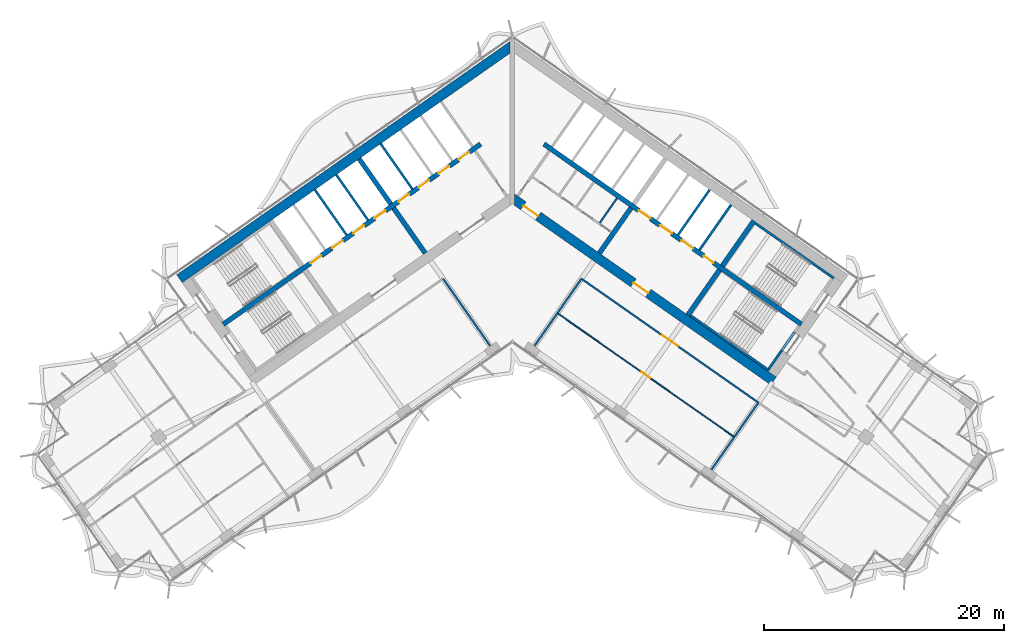
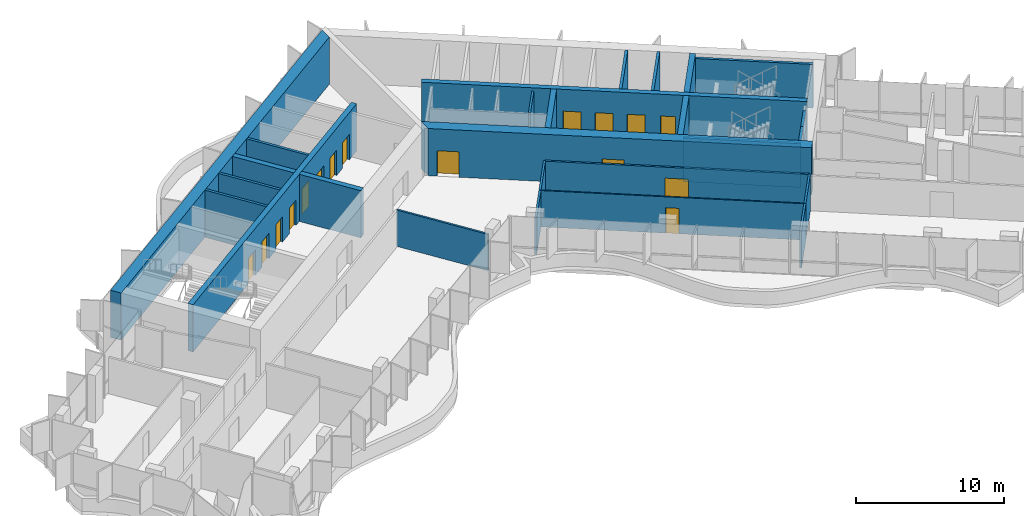
# One storey, part 13 of 22: 26 walls, 16 doors, 16 openings.
"""IFC4 building model written with IfcOpenShell, lengths in metres."""

from ifc_helpers import new_model, si_unit, direction, frame, frame_2d, origin, place, context, subcontext, project, spatial, polyline, rectangle, outline, extrude, material, layer, layer_set, type_object, element, fill, save


model = new_model("IFC4")

# Units and contexts
model_context = context("Model", 3, precision=1e-05, world=origin(), true_north=direction((0.0, 1.0)))
body_context = subcontext(model_context, "Body", "Model", "MODEL_VIEW")
ifc_project = project(units=[si_unit("LENGTHUNIT", "METRE"), si_unit("AREAUNIT", "SQUARE_METRE"), si_unit("VOLUMEUNIT", "CUBIC_METRE"), si_unit("PLANEANGLEUNIT", "RADIAN"), si_unit("MASSUNIT", "GRAM", prefix="KILO")], contexts=[model_context])

# Site, building, storey
site_placement = place(None, origin())
site = spatial("IfcSite", under=ifc_project, at=site_placement, CompositionType="ELEMENT")
building_placement = place(site_placement, origin())
building = spatial("IfcBuilding", under=site, at=building_placement, Name="Tel Ilan Convention Tower", CompositionType="ELEMENT")
storey_placement = place(building_placement, frame((0.0, 0.0, 135.89990234375)))
storey = spatial("IfcBuildingStorey", under=building, at=storey_placement, Name="L30", CompositionType="ELEMENT", Elevation=135.89990234375)

# Walls
ifc_material_1 = material(Name="Gypsum Plasterboard on Steel Stud", Category="steel")
ifc_layer_1 = layer(ifc_material_1, 0.14990234375)
ifc_layer_set_1 = layer_set([ifc_layer_1], Name="Core Room Partition Wall 150 mm EI 60")
wall_type_1 = type_object("IfcWallType", Name="Core Room Partition Wall 150 mm EI 60", PredefinedType="PARTITIONING", material=ifc_layer_set_1)
wall_1_placement = place(storey_placement, frame((7.280517578125, -2.808837890625, 0.0), z_axis=(0.0, 0.0, 1.0), x_axis=(0.573566168143, 0.81915923407, 0.0)))
element("IfcWall", 1, at=wall_1_placement, inside=storey, type_object=wall_type_1, Name="L30 core wall wc-v2", PredefinedType="PARTITIONING", context=body_context, shape_type="SweptSolid", body=[
    extrude(rectangle(XDim=2.52490234375, YDim=0.14990234375, at=frame_2d((1.262451171875, 0.0))), origin(), (0.0, 0.0, 1.0), 3.6201171875),
])
ifc_material_2 = material(Name="Concrete C50/60", Category="concrete")
ifc_layer_2 = layer(ifc_material_2, 0.39990234375)
ifc_layer_set_2 = layer_set([ifc_layer_2], Name="Core Shear Wall 400 mm C50/60")
wall_type_2 = type_object("IfcWallType", Name="Core Shear Wall 400 mm C50/60", PredefinedType="SHEAR", material=ifc_layer_set_2)
wall_2_placement = place(storey_placement, frame((-7.2578125, -5.325927734375, 0.0), z_axis=(0.0, 0.0, 1.0), x_axis=(-0.573540709186, 0.819177059558, 0.0)))
element("IfcWall", 2, at=wall_2_placement, inside=storey, type_object=wall_type_2, Name="L30 core wall W-cross1-1", PredefinedType="SHEAR", context=body_context, shape_type="SweptSolid", body=[
    extrude(outline(polyline([(4.599853515625, 0.2001953125), (-0.000244140625, 0.199951171875), (-0.000244140625, -0.2001953125), (4.599853515625, -0.199951171875), (4.599853515625, 0.2001953125)])), origin(), (0.0, 0.0, 1.0), 3.900146484375),
])
wall_3_placement = place(storey_placement, frame((-10.12548828125, -1.230224609375, 0.0), z_axis=(0.0, 0.0, 1.0), x_axis=(-0.573576324356, 0.819152122709, 0.0)))
element("IfcWall", 3, at=wall_3_placement, inside=storey, type_object=wall_type_2, Name="L30 core wall W-cross1-2", PredefinedType="SHEAR", context=body_context, shape_type="SweptSolid", body=[
    extrude(outline(polyline([(4.60009765625, -0.199951171875), (4.599853515625, 0.199951171875), (0.0, 0.2001953125), (0.0, -0.199951171875), (4.60009765625, -0.199951171875)])), origin(), (0.0, 0.0, 1.0), 3.900146484375),
])

# Wall, openings, doors
wall_4_placement = place(storey_placement, frame((-2.638427734375, 3.76806640625, 0.0), z_axis=(0.0, 0.0, 1.0), x_axis=(-0.81915267502, -0.573575535572, 0.0)))
wall_4 = element("IfcWall", 4, at=wall_4_placement, inside=storey, type_object=wall_type_2, Name="L30 core wall W-spine", PredefinedType="SHEAR", context=body_context, shape_type="SweptSolid", body=[
    extrude(outline(polyline([(26.199951171875, 0.199951171875), (0.0, 0.199951171875), (0.0, -0.199951171875), (26.199951171875, -0.199951171875), (26.199951171875, 0.199951171875)])), origin(), (0.0, 0.0, 1.0), 3.900146484375),
])
opening_1_placement = place(wall_4_placement, frame((1.168701171875, 0.0, 0.0)))
opening_1 = element("IfcOpeningElement", 5, at=opening_1_placement, cuts=wall_4, Name="Opening LD2404", PredefinedType="OPENING", context=body_context, shape_type="SweptSolid", body=[
    extrude(rectangle(XDim=1.10009765625, YDim=2.10009765625, at=frame_2d((0.550048828125, 1.050048828125))), frame((0.0, 0.2099609375, 0.0), z_axis=(0.0, -1.0, 0.0), x_axis=(1.0, 0.0, 0.0)), (0.0, 0.0, 1.0), 0.419921875),
])
opening_2_placement = place(wall_4_placement, frame((3.206298828125, 0.0, 0.0)))
opening_2 = element("IfcOpeningElement", 6, at=opening_2_placement, cuts=wall_4, Name="Opening LD2405", PredefinedType="OPENING", context=body_context, shape_type="SweptSolid", body=[
    extrude(rectangle(XDim=1.10009765625, YDim=2.10009765625, at=frame_2d((0.550048828125, 1.050048828125))), frame((0.0, 0.2099609375, 0.0), z_axis=(0.0, -1.0, 0.0), x_axis=(1.0, 0.0, 0.0)), (0.0, 0.0, 1.0), 0.419921875),
])
opening_3_placement = place(wall_4_placement, frame((5.24365234375, 0.0, 0.0)))
opening_3 = element("IfcOpeningElement", 7, at=opening_3_placement, cuts=wall_4, Name="Opening LD2406", PredefinedType="OPENING", context=body_context, shape_type="SweptSolid", body=[
    extrude(rectangle(XDim=1.10009765625, YDim=2.10009765625, at=frame_2d((0.550048828125, 1.050048828125))), frame((0.0, 0.2099609375, 0.0), z_axis=(0.0, -1.0, 0.0), x_axis=(1.0, 0.0, 0.0)), (0.0, 0.0, 1.0), 0.419921875),
])
opening_4_placement = place(wall_4_placement, frame((7.28125, 0.0, 0.0)))
opening_4 = element("IfcOpeningElement", 8, at=opening_4_placement, cuts=wall_4, Name="Opening LD2407", PredefinedType="OPENING", context=body_context, shape_type="SweptSolid", body=[
    extrude(rectangle(XDim=1.10009765625, YDim=2.10009765625, at=frame_2d((0.550048828125, 1.050048828125))), frame((0.0, 0.2099609375, 0.0), z_axis=(0.0, -1.0, 0.0), x_axis=(1.0, 0.0, 0.0)), (0.0, 0.0, 1.0), 0.419921875),
])
opening_5_placement = place(wall_4_placement, frame((9.6875, 0.0, 0.0)))
opening_5 = element("IfcOpeningElement", 9, at=opening_5_placement, cuts=wall_4, Name="Opening LD2408", PredefinedType="OPENING", context=body_context, shape_type="SweptSolid", body=[
    extrude(rectangle(XDim=1.10009765625, YDim=2.10009765625, at=frame_2d((0.550048828125, 1.050048828125))), frame((0.0, 0.2099609375, 0.0), z_axis=(0.0, -1.0, 0.0), x_axis=(1.0, 0.0, 0.0)), (0.0, 0.0, 1.0), 0.419921875),
])
opening_6_placement = place(wall_4_placement, frame((11.862548828125, 0.0, 0.0)))
opening_6 = element("IfcOpeningElement", 10, at=opening_6_placement, cuts=wall_4, Name="Opening LD2409", PredefinedType="OPENING", context=body_context, shape_type="SweptSolid", body=[
    extrude(rectangle(XDim=1.10009765625, YDim=2.10009765625, at=frame_2d((0.550048828125, 1.050048828125))), frame((0.0, 0.2099609375, 0.0), z_axis=(0.0, -1.0, 0.0), x_axis=(1.0, 0.0, 0.0)), (0.0, 0.0, 1.0), 0.419921875),
])
opening_7_placement = place(wall_4_placement, frame((14.03759765625, 0.0, 0.0)))
opening_7 = element("IfcOpeningElement", 11, at=opening_7_placement, cuts=wall_4, Name="Opening LD2410", PredefinedType="OPENING", context=body_context, shape_type="SweptSolid", body=[
    extrude(rectangle(XDim=1.10009765625, YDim=2.10009765625, at=frame_2d((0.550048828125, 1.050048828125))), frame((0.0, 0.2099609375, 0.0), z_axis=(0.0, -1.0, 0.0), x_axis=(1.0, 0.0, 0.0)), (0.0, 0.0, 1.0), 0.419921875),
])
opening_8_placement = place(wall_4_placement, frame((16.21240234375, 0.0, 0.0)))
opening_8 = element("IfcOpeningElement", 12, at=opening_8_placement, cuts=wall_4, Name="Opening LD2411", PredefinedType="OPENING", context=body_context, shape_type="SweptSolid", body=[
    extrude(rectangle(XDim=1.10009765625, YDim=2.10009765625, at=frame_2d((0.550048828125, 1.050048828125))), frame((0.0, 0.2099609375, 0.0), z_axis=(0.0, -1.0, 0.0), x_axis=(1.0, 0.0, 0.0)), (0.0, 0.0, 1.0), 0.419921875),
])
ifc_material_3 = material(Name="Stainless Steel Sliding Door Leaf", Category="steel")
door_type_1 = type_object("IfcDoorType", Name="Lift Landing Door 1100 x 2100 FD120", OperationType="NOTDEFINED", PredefinedType="DOOR", material=ifc_material_3)
door_1_placement = place(opening_1_placement, origin())
door_1 = element("IfcDoor", 13, at=door_1_placement, inside=storey, type_object=door_type_1, Name="Lift LR1 landing door", OperationType="SLIDING_TO_LEFT", OverallHeight=2.10009765625, OverallWidth=1.10009765625, PredefinedType="DOOR", context=body_context, shape_type="SweptSolid", body=[
    extrude(rectangle(XDim=1.10009765625, YDim=2.10009765625, at=frame_2d((0.550048828125, 1.050048828125))), frame((0.0, 0.02490234375, 0.0), z_axis=(0.0, -1.0, 0.0), x_axis=(1.0, 0.0, 0.0)), (0.0, 0.0, 1.0), 0.050048828125),
])
fill(opening_1, door_1)
door_2_placement = place(opening_2_placement, origin())
door_2 = element("IfcDoor", 14, at=door_2_placement, inside=storey, type_object=door_type_1, Name="Lift LR2 landing door", OperationType="SLIDING_TO_RIGHT", OverallHeight=2.10009765625, OverallWidth=1.10009765625, PredefinedType="DOOR", context=body_context, shape_type="SweptSolid", body=[
    extrude(rectangle(XDim=1.10009765625, YDim=2.10009765625, at=frame_2d((0.550048828125, 1.050048828125))), frame((0.0, 0.02490234375, 0.0), z_axis=(0.0, -1.0, 0.0), x_axis=(1.0, 0.0, 0.0)), (0.0, 0.0, 1.0), 0.050048828125),
])
fill(opening_2, door_2)
door_3_placement = place(opening_3_placement, origin())
door_3 = element("IfcDoor", 15, at=door_3_placement, inside=storey, type_object=door_type_1, Name="Lift LR3 landing door", OperationType="SLIDING_TO_LEFT", OverallHeight=2.10009765625, OverallWidth=1.10009765625, PredefinedType="DOOR", context=body_context, shape_type="SweptSolid", body=[
    extrude(rectangle(XDim=1.10009765625, YDim=2.10009765625, at=frame_2d((0.550048828125, 1.050048828125))), frame((0.0, 0.02490234375, 0.0), z_axis=(0.0, -1.0, 0.0), x_axis=(1.0, 0.0, 0.0)), (0.0, 0.0, 1.0), 0.050048828125),
])
fill(opening_3, door_3)
door_4_placement = place(opening_4_placement, origin())
door_4 = element("IfcDoor", 16, at=door_4_placement, inside=storey, type_object=door_type_1, Name="Lift LR4 landing door", OperationType="SLIDING_TO_RIGHT", OverallHeight=2.10009765625, OverallWidth=1.10009765625, PredefinedType="DOOR", context=body_context, shape_type="SweptSolid", body=[
    extrude(rectangle(XDim=1.10009765625, YDim=2.10009765625, at=frame_2d((0.550048828125, 1.050048828125))), frame((0.0, 0.02490234375, 0.0), z_axis=(0.0, -1.0, 0.0), x_axis=(1.0, 0.0, 0.0)), (0.0, 0.0, 1.0), 0.050048828125),
])
fill(opening_4, door_4)
door_5_placement = place(opening_5_placement, origin())
door_5 = element("IfcDoor", 17, at=door_5_placement, inside=storey, type_object=door_type_1, Name="Lift LR5 landing door", OperationType="SLIDING_TO_LEFT", OverallHeight=2.10009765625, OverallWidth=1.10009765625, PredefinedType="DOOR", context=body_context, shape_type="SweptSolid", body=[
    extrude(rectangle(XDim=1.10009765625, YDim=2.10009765625, at=frame_2d((0.550048828125, 1.050048828125))), frame((0.0, 0.02490234375, 0.0), z_axis=(0.0, -1.0, 0.0), x_axis=(1.0, 0.0, 0.0)), (0.0, 0.0, 1.0), 0.050048828125),
])
fill(opening_5, door_5)
door_6_placement = place(opening_6_placement, origin())
door_6 = element("IfcDoor", 18, at=door_6_placement, inside=storey, type_object=door_type_1, Name="Lift LR6 landing door", OperationType="SLIDING_TO_RIGHT", OverallHeight=2.10009765625, OverallWidth=1.10009765625, PredefinedType="DOOR", context=body_context, shape_type="SweptSolid", body=[
    extrude(rectangle(XDim=1.10009765625, YDim=2.10009765625, at=frame_2d((0.550048828125, 1.050048828125))), frame((0.0, 0.02490234375, 0.0), z_axis=(0.0, -1.0, 0.0), x_axis=(1.0, 0.0, 0.0)), (0.0, 0.0, 1.0), 0.050048828125),
])
fill(opening_6, door_6)
door_7_placement = place(opening_7_placement, origin())
door_7 = element("IfcDoor", 19, at=door_7_placement, inside=storey, type_object=door_type_1, Name="Lift LR7 landing door", OperationType="SLIDING_TO_LEFT", OverallHeight=2.10009765625, OverallWidth=1.10009765625, PredefinedType="DOOR", context=body_context, shape_type="SweptSolid", body=[
    extrude(rectangle(XDim=1.10009765625, YDim=2.10009765625, at=frame_2d((0.550048828125, 1.050048828125))), frame((0.0, 0.02490234375, 0.0), z_axis=(0.0, -1.0, 0.0), x_axis=(1.0, 0.0, 0.0)), (0.0, 0.0, 1.0), 0.050048828125),
])
fill(opening_7, door_7)
door_8_placement = place(opening_8_placement, origin())
door_8 = element("IfcDoor", 20, at=door_8_placement, inside=storey, type_object=door_type_1, Name="Lift LR8 landing door", OperationType="SLIDING_TO_RIGHT", OverallHeight=2.10009765625, OverallWidth=1.10009765625, PredefinedType="DOOR", context=body_context, shape_type="SweptSolid", body=[
    extrude(rectangle(XDim=1.10009765625, YDim=2.10009765625, at=frame_2d((0.550048828125, 1.050048828125))), frame((0.0, 0.02490234375, 0.0), z_axis=(0.0, -1.0, 0.0), x_axis=(1.0, 0.0, 0.0)), (0.0, 0.0, 1.0), 0.050048828125),
])
fill(opening_8, door_8)

# Walls
wall_5_placement = place(storey_placement, frame((7.2578125, -5.325927734375, 0.0), z_axis=(0.0, 0.0, 1.0), x_axis=(0.573540709186, 0.819177059558, 0.0)))
element("IfcWall", 21, at=wall_5_placement, inside=storey, type_object=wall_type_2, Name="L30 core wall E-cross1-1", PredefinedType="SHEAR", context=body_context, shape_type="SweptSolid", body=[
    extrude(outline(polyline([(-0.000244140625, 0.2001953125), (-0.000244140625, -0.199951171875), (4.599853515625, -0.2001953125), (4.599853515625, 0.199951171875), (-0.000244140625, 0.2001953125)])), origin(), (0.0, 0.0, 1.0), 3.900146484375),
])
wall_6_placement = place(storey_placement, frame((14.6298828125, -10.48828125, 0.0), z_axis=(0.0, 0.0, 1.0), x_axis=(0.573611936273, 0.819127185829, 0.0)))
element("IfcWall", 22, at=wall_6_placement, inside=storey, type_object=wall_type_2, Name="L30 core wall E-cross2-1", PredefinedType="SHEAR", context=body_context, shape_type="SweptSolid", body=[
    extrude(outline(polyline([(0.000244140625, 0.199951171875), (0.000244140625, -0.2001953125), (4.60009765625, -0.199951171875), (4.60009765625, 0.2001953125), (0.000244140625, 0.199951171875)])), origin(), (0.0, 0.0, 1.0), 3.900146484375),
])
wall_7_placement = place(storey_placement, frame((17.497802734375, -6.392333984375, 0.0), z_axis=(0.0, 0.0, 1.0), x_axis=(0.573611936273, 0.819127185829, 0.0)))
element("IfcWall", 23, at=wall_7_placement, inside=storey, type_object=wall_type_2, Name="L30 core wall E-cross2-2", PredefinedType="SHEAR", context=body_context, shape_type="SweptSolid", body=[
    extrude(outline(polyline([(4.599853515625, -0.199951171875), (4.599853515625, 0.2001953125), (0.0, 0.199951171875), (0.0, -0.2001953125), (4.599853515625, -0.199951171875)])), origin(), (0.0, 0.0, 1.0), 3.900146484375),
])

# Wall, openings, doors
wall_8_placement = place(storey_placement, frame((2.638427734375, 3.76806640625, 0.0), z_axis=(0.0, 0.0, 1.0), x_axis=(0.81915267502, -0.573575535572, 0.0)))
wall_8 = element("IfcWall", 24, at=wall_8_placement, inside=storey, type_object=wall_type_2, Name="L30 core wall E-spine", PredefinedType="SHEAR", context=body_context, shape_type="SweptSolid", body=[
    extrude(outline(polyline([(0.0, 0.199951171875), (0.0, -0.199951171875), (26.199951171875, -0.199951171875), (26.199951171875, 0.199951171875), (0.0, 0.199951171875)])), origin(), (0.0, 0.0, 1.0), 3.900146484375),
])
opening_9_placement = place(wall_8_placement, frame((9.637451171875, 0.0, 0.0)))
opening_9 = element("IfcOpeningElement", 25, at=opening_9_placement, cuts=wall_8, Name="Opening LD2401", PredefinedType="OPENING", context=body_context, shape_type="SweptSolid", body=[
    extrude(rectangle(XDim=1.199951171875, YDim=2.10009765625, at=frame_2d((0.60009765625, 1.050048828125))), frame((0.0, 0.2099609375, 0.0), z_axis=(0.0, -1.0, 0.0), x_axis=(1.0, 0.0, 0.0)), (0.0, 0.0, 1.0), 0.419921875),
])
opening_10_placement = place(wall_8_placement, frame((11.8125, 0.0, 0.0)))
opening_10 = element("IfcOpeningElement", 26, at=opening_10_placement, cuts=wall_8, Name="Opening LD2402", PredefinedType="OPENING", context=body_context, shape_type="SweptSolid", body=[
    extrude(rectangle(XDim=1.199951171875, YDim=2.10009765625, at=frame_2d((0.60009765625, 1.050048828125))), frame((0.0, 0.2099609375, 0.0), z_axis=(0.0, -1.0, 0.0), x_axis=(1.0, 0.0, 0.0)), (0.0, 0.0, 1.0), 0.419921875),
])
opening_11_placement = place(wall_8_placement, frame((13.987548828125, 0.0, 0.0)))
opening_11 = element("IfcOpeningElement", 27, at=opening_11_placement, cuts=wall_8, Name="Opening LD2403", PredefinedType="OPENING", context=body_context, shape_type="SweptSolid", body=[
    extrude(rectangle(XDim=1.199951171875, YDim=2.10009765625, at=frame_2d((0.60009765625, 1.050048828125))), frame((0.0, 0.2099609375, 0.0), z_axis=(0.0, -1.0, 0.0), x_axis=(1.0, 0.0, 0.0)), (0.0, 0.0, 1.0), 0.419921875),
])
opening_12_placement = place(wall_8_placement, frame((16.262451171875, 0.0, 0.0)))
opening_12 = element("IfcOpeningElement", 28, at=opening_12_placement, cuts=wall_8, Name="Opening CD2407", PredefinedType="OPENING", context=body_context, shape_type="SweptSolid", body=[
    extrude(rectangle(XDim=1.0, YDim=2.10009765625, at=frame_2d((0.5, 1.050048828125))), frame((0.0, 0.2099609375, 0.0), z_axis=(0.0, -1.0, 0.0), x_axis=(1.0, 0.0, 0.0)), (0.0, 0.0, 1.0), 0.419921875),
])
ifc_material_4 = material(Name="Stainless Steel Sliding Door Leaf", Category="steel")
door_type_2 = type_object("IfcDoorType", Name="Lift Landing Door 1200 x 2100 FD120", OperationType="NOTDEFINED", PredefinedType="DOOR", material=ifc_material_4)
door_9_placement = place(opening_9_placement, origin())
door_9 = element("IfcDoor", 29, at=door_9_placement, inside=storey, type_object=door_type_2, Name="Lift FL1 landing door", OperationType="SLIDING_TO_LEFT", OverallHeight=2.10009765625, OverallWidth=1.199951171875, PredefinedType="DOOR", context=body_context, shape_type="SweptSolid", body=[
    extrude(rectangle(XDim=1.199951171875, YDim=2.10009765625, at=frame_2d((0.60009765625, 1.050048828125))), frame((0.0, 0.02490234375, 0.0), z_axis=(0.0, -1.0, 0.0), x_axis=(1.0, 0.0, 0.0)), (0.0, 0.0, 1.0), 0.050048828125),
])
fill(opening_9, door_9)
door_10_placement = place(opening_10_placement, origin())
door_10 = element("IfcDoor", 30, at=door_10_placement, inside=storey, type_object=door_type_2, Name="Lift FL2 landing door", OperationType="SLIDING_TO_RIGHT", OverallHeight=2.10009765625, OverallWidth=1.199951171875, PredefinedType="DOOR", context=body_context, shape_type="SweptSolid", body=[
    extrude(rectangle(XDim=1.199951171875, YDim=2.10009765625, at=frame_2d((0.60009765625, 1.050048828125))), frame((0.0, 0.02490234375, 0.0), z_axis=(0.0, -1.0, 0.0), x_axis=(1.0, 0.0, 0.0)), (0.0, 0.0, 1.0), 0.050048828125),
])
fill(opening_10, door_10)
door_11_placement = place(opening_11_placement, origin())
door_11 = element("IfcDoor", 31, at=door_11_placement, inside=storey, type_object=door_type_2, Name="Lift FL3 landing door", OperationType="SLIDING_TO_LEFT", OverallHeight=2.10009765625, OverallWidth=1.199951171875, PredefinedType="DOOR", context=body_context, shape_type="SweptSolid", body=[
    extrude(rectangle(XDim=1.199951171875, YDim=2.10009765625, at=frame_2d((0.60009765625, 1.050048828125))), frame((0.0, 0.02490234375, 0.0), z_axis=(0.0, -1.0, 0.0), x_axis=(1.0, 0.0, 0.0)), (0.0, 0.0, 1.0), 0.050048828125),
])
fill(opening_11, door_11)
ifc_material_5 = material(Name="Galvanised Steel Door Leaf", Category="steel")
door_type_3 = type_object("IfcDoorType", Name="Service Room Door 1000 x 2100 FD60", OperationType="NOTDEFINED", PredefinedType="DOOR", material=ifc_material_5)
door_12_placement = place(opening_12_placement, origin())
door_12 = element("IfcDoor", 32, at=door_12_placement, inside=storey, type_object=door_type_3, Name="Plant Room door", OperationType="SINGLE_SWING_RIGHT", OverallHeight=2.10009765625, OverallWidth=1.0, PredefinedType="DOOR", context=body_context, shape_type="SweptSolid", body=[
    extrude(rectangle(XDim=1.0, YDim=2.10009765625, at=frame_2d((0.5, 1.050048828125))), frame((0.0, 0.02490234375, 0.0), z_axis=(0.0, -1.0, 0.0), x_axis=(1.0, 0.0, 0.0)), (0.0, 0.0, 1.0), 0.050048828125),
])
fill(opening_12, door_12)

# Wall
ifc_material_6 = material(Name="Concrete C50/60", Category="concrete")
ifc_layer_3 = layer(ifc_material_6, 0.800048828125)
ifc_layer_set_3 = layer_set([ifc_layer_3], Name="Core Shear Wall 800 mm C50/60")
wall_type_3 = type_object("IfcWallType", Name="Core Shear Wall 800 mm C50/60", PredefinedType="SHEAR", material=ifc_layer_set_3)
wall_9_placement = place(storey_placement, frame((0.029296875, 11.984130859375, 0.0), z_axis=(0.0, 0.0, 1.0), x_axis=(-0.819151382952, -0.573577380837, 0.0)))
element("IfcWall", 33, at=wall_9_placement, inside=storey, type_object=wall_type_3, Name="L30 core wall W-back", PredefinedType="SHEAR", context=body_context, shape_type="SweptSolid", body=[
    extrude(outline(polyline([(33.897705078125, 0.39990234375), (0.56005859375, 0.400146484375), (-0.000244140625, -0.39990234375), (33.897705078125, -0.400146484375), (33.897705078125, 0.39990234375)])), origin(), (0.0, 0.0, 1.0), 3.900146484375),
])

# Wall, openings, doors
wall_10_placement = place(storey_placement, frame((-0.029296875, -0.7119140625, 0.0), z_axis=(0.0, 0.0, 1.0), x_axis=(0.819151758019, -0.573576845187, 0.0)))
wall_10 = element("IfcWall", 34, at=wall_10_placement, inside=storey, type_object=wall_type_3, Name="L30 core wall E-front", PredefinedType="SHEAR", context=body_context, shape_type="SweptSolid", body=[
    extrude(outline(polyline([(26.61572265625, 0.39990234375), (-0.000244140625, 0.39990234375), (0.56005859375, -0.39990234375), (26.61572265625, -0.39990234375), (26.61572265625, 0.39990234375)])), origin(), (0.0, 0.0, 1.0), 3.900146484375),
])
opening_13_placement = place(wall_10_placement, frame((1.165771484375, 0.0, 0.0)))
opening_13 = element("IfcOpeningElement", 35, at=opening_13_placement, cuts=wall_10, Name="Opening CD2403", PredefinedType="OPENING", context=body_context, shape_type="SweptSolid", body=[
    extrude(rectangle(XDim=1.5, YDim=2.10009765625, at=frame_2d((0.75, 1.050048828125))), frame((0.0, 0.409912109375, 0.0), z_axis=(0.0, -1.0, 0.0), x_axis=(1.0, 0.0, 0.0)), (0.0, 0.0, 1.0), 0.820068359375),
])
opening_14_placement = place(wall_10_placement, frame((12.36572265625, 0.0, 0.0)))
opening_14 = element("IfcOpeningElement", 36, at=opening_14_placement, cuts=wall_10, Name="Opening CD2404", PredefinedType="OPENING", context=body_context, shape_type="SweptSolid", body=[
    extrude(rectangle(XDim=1.5, YDim=2.10009765625, at=frame_2d((0.75, 1.050048828125))), frame((0.0, 0.409912109375, 0.0), z_axis=(0.0, -1.0, 0.0), x_axis=(1.0, 0.0, 0.0)), (0.0, 0.0, 1.0), 0.820068359375),
])
ifc_material_7 = material(Name="Glazed Aluminium Door Leaf", Category="aluminium")
door_type_4 = type_object("IfcDoorType", Name="Lobby Opening Door 1500 x 2100 FD60S", OperationType="NOTDEFINED", PredefinedType="DOOR", material=ifc_material_7)
door_13_placement = place(opening_14_placement, origin())
door_13 = element("IfcDoor", 37, at=door_13_placement, inside=storey, type_object=door_type_4, Name="Firefighting Lobby door", OperationType="DOUBLE_DOOR_SINGLE_SWING", OverallHeight=2.10009765625, OverallWidth=1.5, PredefinedType="DOOR", context=body_context, shape_type="SweptSolid", body=[
    extrude(rectangle(XDim=1.5, YDim=2.10009765625, at=frame_2d((0.75, 1.050048828125))), frame((0.0, 0.02490234375, 0.0), z_axis=(0.0, -1.0, 0.0), x_axis=(1.0, 0.0, 0.0)), (0.0, 0.0, 1.0), 0.050048828125),
])
fill(opening_14, door_13)
ifc_material_8 = material(Name="Laminated Timber Door Leaf", Category="wood")
door_type_5 = type_object("IfcDoorType", Name="Toilet Door 1500 x 2100 FD30S", OperationType="NOTDEFINED", PredefinedType="DOOR", material=ifc_material_8)
door_14_placement = place(opening_13_placement, origin())
door_14 = element("IfcDoor", 38, at=door_14_placement, inside=storey, type_object=door_type_5, Name="WC Lobby door", OperationType="SINGLE_SWING_RIGHT", OverallHeight=2.10009765625, OverallWidth=1.5, PredefinedType="DOOR", context=body_context, shape_type="SweptSolid", body=[
    extrude(rectangle(XDim=1.5, YDim=2.10009765625, at=frame_2d((0.75, 1.050048828125))), frame((0.0, 0.02490234375, 0.0), z_axis=(0.0, -1.0, 0.0), x_axis=(1.0, 0.0, 0.0)), (0.0, 0.0, 1.0), 0.050048828125),
])
fill(opening_13, door_14)

# Wall, opening, door
ifc_material_9 = material(Name="Plasterboard on Steel Studs", Category="steel")
ifc_layer_4 = layer(ifc_material_9, 0.14990234375)
ifc_layer_set_4 = layer_set([ifc_layer_4], Name="Fire-rated Partition 150 EI 60")
wall_type_4 = type_object("IfcWallType", Name="Fire-rated Partition 150 EI 60", PredefinedType="PARTITIONING", material=ifc_layer_set_4)
wall_11_placement = place(storey_placement, frame((20.512939453125, -17.781005859375, 0.0), z_axis=(0.0, 0.0, 1.0), x_axis=(-0.81916437852, 0.57355882084, 0.0)))
wall_11 = element("IfcWall", 39, at=wall_11_placement, inside=storey, type_object=wall_type_4, Name="Partition 002", PredefinedType="PARTITIONING", context=body_context, shape_type="SweptSolid", body=[
    extrude(rectangle(XDim=18.001953125, YDim=0.14990234375, at=frame_2d((9.0009765625, 0.0))), origin(), (0.0, 0.0, 1.0), 3.0),
])
opening_15_placement = place(wall_11_placement, frame((8.200927734375, 0.0, 0.0)))
opening_15 = element("IfcOpeningElement", 40, at=opening_15_placement, cuts=wall_11, Name="Opening L30-009", PredefinedType="OPENING", context=body_context, shape_type="SweptSolid", body=[
    extrude(rectangle(XDim=1.60009765625, YDim=2.10009765625, at=frame_2d((0.800048828125, 1.050048828125))), frame((0.0, 0.0849609375, 0.0), z_axis=(0.0, -1.0, 0.0), x_axis=(1.0, 0.0, 0.0)), (0.0, 0.0, 1.0), 0.169921875),
])
ifc_material_10 = material(Name="Timber Door Leaf in Steel Frame", Category="steel")
door_type_6 = type_object("IfcDoorType", Name="Tenant Suite Entrance Fire Door 1600x2100", OperationType="NOTDEFINED", PredefinedType="DOOR", material=ifc_material_10)
door_15_placement = place(opening_15_placement, origin())
door_15 = element("IfcDoor", 41, at=door_15_placement, inside=storey, type_object=door_type_6, Name="Door L30-009", OperationType="DOUBLE_DOOR_SINGLE_SWING", OverallHeight=2.10009765625, OverallWidth=1.60009765625, PredefinedType="DOOR", context=body_context, shape_type="SweptSolid", body=[
    extrude(rectangle(XDim=1.60009765625, YDim=2.10009765625, at=frame_2d((0.800048828125, 1.050048828125))), frame((0.0, 0.02490234375, 0.0), z_axis=(0.0, -1.0, 0.0), x_axis=(1.0, 0.0, 0.0)), (0.0, 0.0, 1.0), 0.050048828125),
])
fill(opening_15, door_15)

# Walls
wall_12_placement = place(storey_placement, frame((18.5029296875, -20.64794921875, 0.0), z_axis=(0.0, 0.0, 1.0), x_axis=(-0.573560777794, -0.819163008306, 0.0)))
element("IfcWall", 42, at=wall_12_placement, inside=storey, type_object=wall_type_4, Name="Partition 025", PredefinedType="PARTITIONING", context=body_context, shape_type="SweptSolid", body=[
    extrude(rectangle(XDim=3.3291015625, YDim=0.14990234375, at=frame_2d((1.66455078125, 0.0))), origin(), (0.0, 0.0, 1.0), 3.0),
])
wall_13_placement = place(storey_placement, frame((1.848876953125, -13.050537109375, 0.0), z_axis=(0.0, 0.0, 1.0), x_axis=(0.573595235521, 0.819138880647, 0.0)))
element("IfcWall", 43, at=wall_13_placement, inside=storey, type_object=wall_type_4, Name="Partition 026", PredefinedType="PARTITIONING", context=body_context, shape_type="SweptSolid", body=[
    extrude(rectangle(XDim=3.328857421875, YDim=0.14990234375, at=frame_2d((1.66455078125, 0.0))), origin(), (0.0, 0.0, 1.0), 3.0),
])
wall_14_placement = place(storey_placement, frame((20.510986328125, -17.7802734375, 0.0), z_axis=(0.0, 0.0, 1.0), x_axis=(-0.573551294295, -0.819169648371, 0.0)))
element("IfcWall", 44, at=wall_14_placement, inside=storey, type_object=wall_type_4, Name="Partition 027", PredefinedType="PARTITIONING", context=body_context, shape_type="SweptSolid", body=[
    extrude(rectangle(XDim=3.499755859375, YDim=0.14990234375, at=frame_2d((1.75, 0.0))), origin(), (0.0, 0.0, 1.0), 3.0),
])
wall_15_placement = place(storey_placement, frame((3.7587890625, -10.32275390625, 0.0), z_axis=(0.0, 0.0, 1.0), x_axis=(0.573598101901, 0.81913687348, 0.0)))
element("IfcWall", 45, at=wall_15_placement, inside=storey, type_object=wall_type_4, Name="Partition 028", PredefinedType="PARTITIONING", context=body_context, shape_type="SweptSolid", body=[
    extrude(rectangle(XDim=3.5, YDim=0.14990234375, at=frame_2d((1.75, 0.0))), origin(), (0.0, 0.0, 1.0), 3.0),
])
wall_16_placement = place(storey_placement, frame((-1.848876953125, -13.050537109375, 0.0), z_axis=(0.0, 0.0, 1.0), x_axis=(-0.57357985571, 0.819149650018, 0.0)))
element("IfcWall", 46, at=wall_16_placement, inside=storey, type_object=wall_type_4, Name="Partition 029", PredefinedType="PARTITIONING", context=body_context, shape_type="SweptSolid", body=[
    extrude(rectangle(XDim=6.83203125, YDim=0.14990234375, at=frame_2d((3.416015625, 0.0))), origin(), (0.0, 0.0, 1.0), 3.0),
])
ifc_material_11 = material(Name="Concrete C30/37", Category="concrete")
ifc_layer_5 = layer(ifc_material_11, 0.199951171875)
ifc_layer_set_5 = layer_set([ifc_layer_5], Name="Lift Shaft Wall 200 mm C30/37")
wall_type_5 = type_object("IfcWallType", Name="Lift Shaft Wall 200 mm C30/37", PredefinedType="SOLIDWALL", material=ifc_layer_set_5)
wall_17_placement = place(storey_placement, frame((-8.33349609375, 0.0244140625, 0.0), z_axis=(0.0, 0.0, 1.0), x_axis=(-0.573611936273, 0.819127185829, 0.0)))
element("IfcWall", 47, at=wall_17_placement, inside=storey, type_object=wall_type_5, Name="L30 core wall bank-W1-p2", PredefinedType="SOLIDWALL", context=body_context, shape_type="SweptSolid", body=[
    extrude(rectangle(XDim=4.60009765625, YDim=0.199951171875, at=frame_2d((2.300048828125, 0.0))), origin(), (0.0, 0.0, 1.0), 3.900146484375),
])
for number, where, z_axis, x_axis, name in (
    (48, (-12.030029296875, -2.563720703125, 0.0), (0.0, 0.0, 1.0), (-0.573576324356, 0.819152122709, 0.0), "L30 core wall bank-W2-p0"),
    (49, (-13.811767578125, -3.811279296875, 0.0), (0.0, 0.0, 1.0), (-0.573576324356, 0.819152122709, 0.0), "L30 core wall bank-W2-p1"),
    (50, (13.811767578125, -3.811279296875, 0.0), (0.0, 0.0, 1.0), (0.573576324356, 0.819152122709, 0.0), "L30 core wall bank-E2-p1"),
    (51, (15.593505859375, -5.058837890625, 0.0), (0.0, 0.0, 1.0), (0.573540709186, 0.819177059558, 0.0), "L30 core wall bank-E2-p2"),
):
    element("IfcWall", number, at=place(storey_placement, frame(where, z_axis=z_axis, x_axis=x_axis)), inside=storey, type_object=wall_type_5, Name=name, PredefinedType="SOLIDWALL", context=body_context, shape_type="SweptSolid", body=[
        extrude(rectangle(XDim=4.599853515625, YDim=0.199951171875, at=frame_2d((2.2998046875, 0.0))), origin(), (0.0, 0.0, 1.0), 3.900146484375),
    ])

# Wall, opening, door
ifc_material_12 = material(Name="Plasterboard on Steel Studs", Category="steel")
ifc_layer_6 = layer(ifc_material_12, 0.10009765625)
ifc_layer_set_6 = layer_set([ifc_layer_6], Name="Plasterboard Partition 100")
wall_type_6 = type_object("IfcWallType", Name="Plasterboard Partition 100", PredefinedType="PARTITIONING", material=ifc_layer_set_6)
wall_18_placement = place(storey_placement, frame((18.5029296875, -20.64794921875, 0.0), z_axis=(0.0, 0.0, 1.0), x_axis=(-0.819154173185, 0.573573395961, 0.0)))
wall_18 = element("IfcWall", 52, at=wall_18_placement, inside=storey, type_object=wall_type_6, Name="Partition 024", PredefinedType="PARTITIONING", context=body_context, shape_type="SweptSolid", body=[
    extrude(rectangle(XDim=17.999755859375, YDim=0.10009765625, at=frame_2d((9.0, 0.0))), origin(), (0.0, 0.0, 1.0), 3.0),
])
opening_16_placement = place(wall_18_placement, frame((8.550048828125, 0.0, 0.0)))
opening_16 = element("IfcOpeningElement", 53, at=opening_16_placement, cuts=wall_18, Name="Opening L30-010", PredefinedType="OPENING", context=body_context, shape_type="SweptSolid", body=[
    extrude(rectangle(XDim=0.89990234375, YDim=2.10009765625, at=frame_2d((0.449951171875, 1.050048828125))), frame((0.0, 0.06005859375, 0.0), z_axis=(0.0, -1.0, 0.0), x_axis=(1.0, 0.0, 0.0)), (0.0, 0.0, 1.0), 0.1201171875),
])
ifc_material_13 = material(Name="Timber Door Leaf in Steel Frame", Category="steel")
door_type_7 = type_object("IfcDoorType", Name="Room Timber Door 900x2100", OperationType="NOTDEFINED", PredefinedType="DOOR", material=ifc_material_13)
door_16_placement = place(opening_16_placement, origin())
door_16 = element("IfcDoor", 54, at=door_16_placement, inside=storey, type_object=door_type_7, Name="Door L30-010", OperationType="SINGLE_SWING_RIGHT", OverallHeight=2.10009765625, OverallWidth=0.89990234375, PredefinedType="DOOR", context=body_context, shape_type="SweptSolid", body=[
    extrude(rectangle(XDim=0.89990234375, YDim=2.10009765625, at=frame_2d((0.449951171875, 1.050048828125))), frame((0.0, 0.02490234375, 0.0), z_axis=(0.0, -1.0, 0.0), x_axis=(1.0, 0.0, 0.0)), (0.0, 0.0, 1.0), 0.050048828125),
])
fill(opening_16, door_16)

# Walls
ifc_material_14 = material(Name="Concrete C30/37", Category="concrete")
ifc_layer_7 = layer(ifc_material_14, 0.199951171875)
ifc_layer_set_7 = layer_set([ifc_layer_7], Name="Stair and Shaft Lining Wall 200 mm C30/37")
wall_type_7 = type_object("IfcWallType", Name="Stair and Shaft Lining Wall 200 mm C30/37", PredefinedType="SOLIDWALL", material=ifc_layer_set_7)
for number, where, z_axis, x_axis, name in (
    (55, (20.242919921875, -2.821044921875, 0.0), (0.0, 0.0, 1.0), (0.819141584393, -0.57359137434, 0.0), "L30 core wall lining-S3-t1"),
    (56, (14.851318359375, -10.52099609375, 0.0), (0.0, 0.0, 1.0), (0.819141584393, -0.57359137434, 0.0), "L30 core wall lining-S4-t0"),
):
    element("IfcWall", number, at=place(storey_placement, frame(where, z_axis=z_axis, x_axis=x_axis)), inside=storey, type_object=wall_type_7, Name=name, PredefinedType="SOLIDWALL", context=body_context, shape_type="SweptSolid", body=[
        extrude(rectangle(XDim=7.999755859375, YDim=0.199951171875, at=frame_2d((4.0, 0.0))), origin(), (0.0, 0.0, 1.0), 3.6201171875),
    ])
wall_19_placement = place(storey_placement, frame((21.3798828125, -14.97021484375, 0.0), z_axis=(0.0, 0.0, 1.0), x_axis=(0.573559770908, 0.819163713305, 0.0)))
element("IfcWall", 57, at=wall_19_placement, inside=storey, type_object=wall_type_7, Name="L30 core wall lining-S4-u1-0", PredefinedType="SOLIDWALL", context=body_context, shape_type="SweptSolid", body=[
    extrude(rectangle(XDim=1.849853515625, YDim=0.199951171875, at=frame_2d((0.9248046875, 0.0))), origin(), (0.0, 0.0, 1.0), 3.6201171875),
])
wall_20_placement = place(storey_placement, frame((22.44091796875, -13.454833984375, 2.150146484375), z_axis=(0.0, 0.0, 1.0), x_axis=(0.573591692345, 0.819141361715, 0.0)))
element("IfcWall", 58, at=wall_20_placement, inside=storey, type_object=wall_type_7, Name="L30 core wall lining-S4-u1-lintel", PredefinedType="SOLIDWALL", context=body_context, shape_type="SweptSolid", body=[
    extrude(rectangle(XDim=1.900146484375, YDim=0.199951171875, at=frame_2d((0.9501953125, 0.0))), origin(), (0.0, 0.0, 1.0), 1.469970703125),
])

save(model, "model.ifc")
